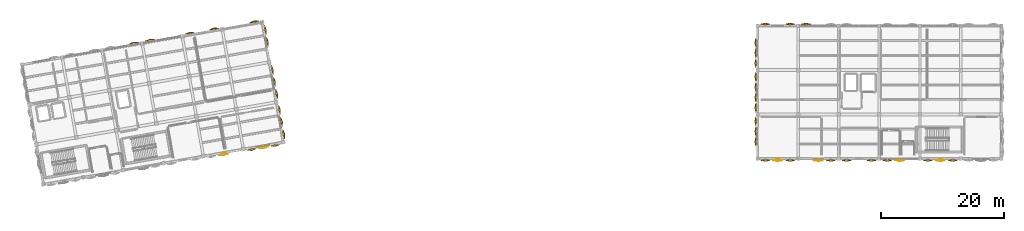
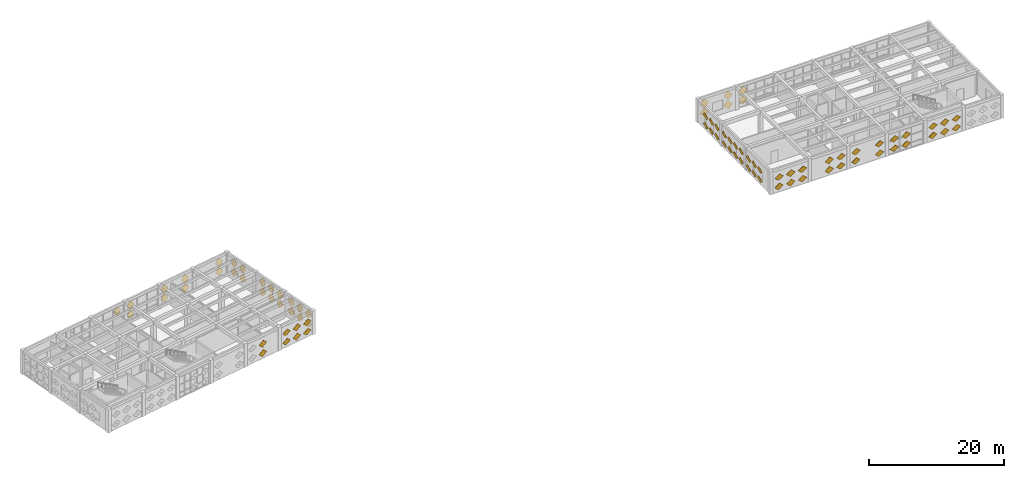
# One storey, part 35 of 36: 83 coverings.
"""IFC4 building model written with IfcOpenShell, lengths in metres."""

from ifc_helpers import new_model, si_unit, direction, frame, origin, place, context, subcontext, project, spatial, polyline, outline, extrude, material, type_object, element, save


model = new_model("IFC4")

# Units and contexts
model_context = context("Model", 3, precision=1e-05, world=origin(), true_north=direction((0.0, 1.0)))
body_context = subcontext(model_context, "Body", "Model", "MODEL_VIEW")
ifc_project = project(units=[si_unit("LENGTHUNIT", "METRE"), si_unit("AREAUNIT", "SQUARE_METRE"), si_unit("VOLUMEUNIT", "CUBIC_METRE"), si_unit("PLANEANGLEUNIT", "RADIAN"), si_unit("MASSUNIT", "GRAM", prefix="KILO")], contexts=[model_context])

# Site, building, storey
site_placement = place(None, origin())
site = spatial("IfcSite", under=ifc_project, at=site_placement, CompositionType="ELEMENT")
building_placement = place(site_placement, origin())
building = spatial("IfcBuilding", under=site, at=building_placement, Name="Kharisveld Research Institute", CompositionType="ELEMENT")
storey_placement = place(building_placement, frame((0.0, 0.0, 27.60009765625)))
storey = spatial("IfcBuildingStorey", under=building, at=storey_placement, Name="L06", CompositionType="ELEMENT", Elevation=27.60009765625)

# Coverings
ifc_material = material(Name="White Powder-Coated Perforated Aluminium", Category="aluminium")
covering_type = type_object("IfcCoveringType", Name="CV_DIA_105", PredefinedType="CLADDING")
covering_1_placement = place(storey_placement, frame((19.966796875, 57.820068359375, 2.025146484375), z_axis=(0.169530643305, -0.961476347302, 0.21638529192), x_axis=(0.669725119033, 0.273471090272, 0.690421485559)))
element("IfcCovering", 1, at=covering_1_placement, inside=storey, type_object=covering_type, material=ifc_material, Name="SHD:V1:L06:N2:S2C1", PredefinedType="CLADDING", context=body_context, shape_type="SweptSolid", body=[
    extrude(outline(polyline([(0.0, 0.0), (1.0498710291992122, 0.0), (1.0499937163043682, 1.0499534820137317), (0.00012268710515594972, 1.049953482013732), (0.0, 0.0)])), origin(), (0.0, 0.0, -1.0), 0.02392578125),
])
for number, where, z_axis, x_axis, name in (
    (2, (22.520751953125, 58.270263671875, 0.324951171875), (0.169497253476, -0.961447488939, 0.216539620108), (0.669704807286, 0.273559805143, 0.690406042925), "SHD:V1:L06:N3:S0C0"),
    (3, (22.520751953125, 58.270263671875, 2.025146484375), (0.169497253476, -0.961447488939, 0.216539620108), (0.669704807286, 0.273559805143, 0.690406042925), "SHD:V1:L06:N3:S0C1"),
):
    element("IfcCovering", number, at=place(storey_placement, frame(where, z_axis=z_axis, x_axis=x_axis)), inside=storey, type_object=covering_type, material=ifc_material, Name=name, PredefinedType="CLADDING", context=body_context, shape_type="SweptSolid", body=[
        extrude(outline(polyline([(0.0, 0.0), (1.0499378117878446, 0.0), (1.0500673216048337, 1.0499534721181558), (3.2794728575202825e-05, 1.0501368269494782), (0.0, 0.0)])), origin(), (0.0, 0.0, -1.0), 0.02392578125),
    ])
for number, where, z_axis, x_axis, name in (
    (4, (29.0205078125, 59.41650390625, 0.324951171875), (0.169503194288, -0.961481187298, 0.216385289699), (0.669728459805, 0.273452141042, 0.690425750307), "SHD:V1:L06:N4:S0C0"),
    (5, (29.0205078125, 59.41650390625, 2.025146484375), (0.169503194288, -0.961481187298, 0.216385289699), (0.669728459805, 0.273452141042, 0.690425750307), "SHD:V1:L06:N4:S0C1"),
    (6, (32.96630859375, 60.1123046875, 0.324951171875), (0.169503194288, -0.961481187298, 0.216385289699), (0.669728459805, 0.273452141042, 0.690425750307), "SHD:V1:L06:N4:S2C0"),
    (7, (32.96630859375, 60.1123046875, 2.025146484375), (0.169503194288, -0.961481187298, 0.216385289699), (0.669728459805, 0.273452141042, 0.690425750307), "SHD:V1:L06:N4:S2C1"),
):
    element("IfcCovering", number, at=place(storey_placement, frame(where, z_axis=z_axis, x_axis=x_axis)), inside=storey, type_object=covering_type, material=ifc_material, Name=name, PredefinedType="CLADDING", context=body_context, shape_type="SweptSolid", body=[
        extrude(outline(polyline([(0.0, 0.0), (1.0498710289953155, -1.1102230246251565e-16), (1.0499937165082887, 1.0499534818098035), (-4.082041178410378e-05, 1.0501299960653954), (0.0, 0.0)])), origin(), (0.0, 0.0, -1.0), 0.02392578125),
    ])
for number, where, z_axis, x_axis, name in (
    (8, (39.4658203125, 61.25830078125, 0.324951171875), (0.169504241221, -0.961487125864, 0.216358080518), (0.669853329409, 0.27342850239, 0.690313965642), "SHD:V1:L06:N5:S2C0"),
    (9, (39.4658203125, 61.25830078125, 2.025146484375), (0.169504241221, -0.961487125864, 0.216358080518), (0.669853329409, 0.27342850239, 0.690313965642), "SHD:V1:L06:N5:S2C1"),
):
    element("IfcCovering", number, at=place(storey_placement, frame(where, z_axis=z_axis, x_axis=x_axis)), inside=storey, type_object=covering_type, material=ifc_material, Name=name, PredefinedType="CLADDING", context=body_context, shape_type="SweptSolid", body=[
        extrude(outline(polyline([(0.0, 0.0), (1.0500345519602505, 0.0), (1.0499807392517624, 1.0499534878027108), (-5.381270848814346e-05, 1.049953487802711), (0.0, 0.0)])), origin(), (0.0, 0.0, -1.0), 0.02392578125),
    ])
for number, where, z_axis, x_axis, name in (
    (10, (41.0830078125, 60.1259765625, 0.324951171875), (-0.961453431325, -0.169498301082, 0.216512413788), (0.273536150679, -0.669829678259, 0.690294267972), "SHD:V1:L06:E3:S0C0"),
    (11, (41.0830078125, 60.1259765625, 2.025146484375), (-0.961453431325, -0.169498301082, 0.216512413788), (0.273536150679, -0.669829678259, 0.690294267972), "SHD:V1:L06:E3:S0C1"),
):
    element("IfcCovering", number, at=place(storey_placement, frame(where, z_axis=z_axis, x_axis=x_axis)), inside=storey, type_object=covering_type, material=ifc_material, Name=name, PredefinedType="CLADDING", context=body_context, shape_type="SweptSolid", body=[
        extrude(outline(polyline([(0.0, 0.0), (1.050101326665668, -1.1102230246251565e-16), (1.050054341798497, 1.049953481570866), (1.9796419616024963e-05, 1.0499603230588543), (0.0, 0.0)])), origin(), (0.0, 0.0, -1.0), 0.02392578125),
    ])
for number, where, z_axis, x_axis, name in (
    (12, (41.430908203125, 58.153076171875, 0.324951171875), (-0.961425979727, -0.169653966706, 0.216512394765), (0.27364360613, -0.669810730042, 0.69027006508), "SHD:V1:L06:E3:S1C0"),
    (13, (41.430908203125, 58.153076171875, 2.025146484375), (-0.961425979727, -0.169653966706, 0.216512394765), (0.27364360613, -0.669810730042, 0.69027006508), "SHD:V1:L06:E3:S1C1"),
):
    element("IfcCovering", number, at=place(storey_placement, frame(where, z_axis=z_axis, x_axis=x_axis)), inside=storey, type_object=covering_type, material=ifc_material, Name=name, PredefinedType="CLADDING", context=body_context, shape_type="SweptSolid", body=[
        extrude(outline(polyline([(0.0, 0.0), (1.0501013332243323, 1.1102230246251565e-16), (1.050054335240126, 1.049953488129867), (-4.699798420648715e-05, 1.049953488129867), (0.0, 0.0)])), origin(), (0.0, 0.0, -1.0), 0.02392578125),
    ])
for number, where, z_axis, x_axis, name in (
    (14, (42.229248046875, 53.626220703125, 0.324951171875), (-0.961481187298, -0.169503194288, 0.216385289699), (0.273447448775, -0.669849989418, 0.690309701826), "SHD:V1:L06:E2:S0C0"),
    (15, (42.229248046875, 53.626220703125, 2.025146484375), (-0.961481187298, -0.169503194288, 0.216385289699), (0.273447448775, -0.669849989418, 0.690309701826), "SHD:V1:L06:E2:S0C1"),
    (16, (42.5771484375, 51.6533203125, 0.324951171875), (-0.961481187298, -0.169503194288, 0.216385289699), (0.273447448775, -0.669849989418, 0.690309701826), "SHD:V1:L06:E2:S1C0"),
    (17, (42.5771484375, 51.6533203125, 2.025146484375), (-0.961481187298, -0.169503194288, 0.216385289699), (0.273447448775, -0.669849989418, 0.690309701826), "SHD:V1:L06:E2:S1C1"),
    (18, (42.925048828125, 49.680419921875, 0.324951171875), (-0.961481187298, -0.169503194288, 0.216385289699), (0.273447448775, -0.669849989418, 0.690309701826), "SHD:V1:L06:E2:S2C0"),
    (19, (42.925048828125, 49.680419921875, 2.025146484375), (-0.961481187298, -0.169503194288, 0.216385289699), (0.273447448775, -0.669849989418, 0.690309701826), "SHD:V1:L06:E2:S2C1"),
):
    element("IfcCovering", number, at=place(storey_placement, frame(where, z_axis=z_axis, x_axis=x_axis)), inside=storey, type_object=covering_type, material=ifc_material, Name=name, PredefinedType="CLADDING", context=body_context, shape_type="SweptSolid", body=[
        extrude(outline(polyline([(0.0, 0.0), (1.0500345517563856, -1.1102230246251565e-16), (1.0498172010450848, 1.0501299743656882), (-5.381311622809637e-05, 1.0499534875988095), (0.0, 0.0)])), origin(), (0.0, 0.0, -1.0), 0.02392578125),
    ])
for number, where, z_axis, x_axis, name in (
    (20, (43.375244140625, 47.12646484375, 0.324951171875), (-0.961447488939, -0.169497253476, 0.216539620108), (0.273554912423, -0.669831050307, 0.690285501755), "SHD:V1:L06:E1:S0C0"),
    (21, (43.375244140625, 47.12646484375, 2.025146484375), (-0.961447488939, -0.169497253476, 0.216539620108), (0.273554912423, -0.669831050307, 0.690285501755), "SHD:V1:L06:E1:S0C1"),
):
    element("IfcCovering", number, at=place(storey_placement, frame(where, z_axis=z_axis, x_axis=x_axis)), inside=storey, type_object=covering_type, material=ifc_material, Name=name, PredefinedType="CLADDING", context=body_context, shape_type="SweptSolid", body=[
        extrude(outline(polyline([(0.0, 0.0), (1.0500345428847768, 1.1102230246251565e-16), (1.0498839649209004, 1.0501368166659475), (-5.383085990073866e-05, 1.0499534787256062), (0.0, 0.0)])), origin(), (0.0, 0.0, -1.0), 0.02392578125),
    ])
for number, where, z_axis, x_axis, name in (
    (22, (43.72314453125, 45.153564453125, 0.324951171875), (-0.961481187298, -0.169503194288, 0.216385289699), (0.273447448775, -0.669849989418, 0.690309701826), "SHD:V1:L06:E1:S1C0"),
    (23, (43.72314453125, 45.153564453125, 2.025146484375), (-0.961481187298, -0.169503194288, 0.216385289699), (0.273447448775, -0.669849989418, 0.690309701826), "SHD:V1:L06:E1:S1C1"),
    (24, (44.071044921875, 43.1806640625, 0.324951171875), (-0.961481187298, -0.169503194288, 0.216385289699), (0.273447448775, -0.669849989418, 0.690309701826), "SHD:V1:L06:E1:S2C0"),
    (25, (44.071044921875, 43.1806640625, 2.025146484375), (-0.961481187298, -0.169503194288, 0.216385289699), (0.273447448775, -0.669849989418, 0.690309701826), "SHD:V1:L06:E1:S2C1"),
):
    element("IfcCovering", number, at=place(storey_placement, frame(where, z_axis=z_axis, x_axis=x_axis)), inside=storey, type_object=covering_type, material=ifc_material, Name=name, PredefinedType="CLADDING", context=body_context, shape_type="SweptSolid", body=[
        extrude(outline(polyline([(0.0, 0.0), (1.0500345517563856, -1.1102230246251565e-16), (1.0498172010450848, 1.0501299743656882), (-5.381311622809637e-05, 1.0499534875988095), (0.0, 0.0)])), origin(), (0.0, 0.0, -1.0), 0.02392578125),
    ])
for number, where, z_axis, x_axis, name in (
    (26, (42.938720703125, 41.5634765625, 0.324951171875), (-0.169504241221, 0.961487125864, 0.216358080518), (-0.669853329409, -0.27342850239, 0.690313965642), "SHD:V1:L06:S6:S0C0"),
    (27, (42.938720703125, 41.5634765625, 2.025146484375), (-0.169504241221, 0.961487125864, 0.216358080518), (-0.669853329409, -0.27342850239, 0.690313965642), "SHD:V1:L06:S6:S0C1"),
):
    element("IfcCovering", number, at=place(storey_placement, frame(where, z_axis=z_axis, x_axis=x_axis)), inside=storey, type_object=covering_type, material=ifc_material, Name=name, PredefinedType="CLADDING", context=body_context, shape_type="SweptSolid", body=[
        extrude(outline(polyline([(0.0, 0.0), (1.0500345519602505, 0.0), (1.0499807392517624, 1.0499534878027108), (-5.381270848814346e-05, 1.049953487802711), (0.0, 0.0)])), origin(), (0.0, 0.0, -1.0), 0.02392578125),
    ])
covering_2_placement = place(storey_placement, frame((40.972412109375, 41.177978515625, 0.317626953125), z_axis=(-0.171238636855, 0.971325222312, 0.164938296792), x_axis=(-0.676191865964, -0.23762399085, 0.697351704219)))
element("IfcCovering", 28, at=covering_2_placement, inside=storey, type_object=covering_type, material=ifc_material, Name="SHD:V1:L06:S6:S1C0", PredefinedType="CLADDING", context=body_context, shape_type="SweptSolid", body=[
    extrude(outline(polyline([(0.0, 0.0), (1.0499451723202433, -1.1102230246251565e-16), (1.0499335917706356, 1.0500851276195962), (-0.00018183243052050102, 1.0499148413347306), (0.0, 0.0)])), origin(), (0.0, 0.0, -1.0), 0.02392578125),
])
covering_3_placement = place(storey_placement, frame((40.972412109375, 41.177978515625, 2.017578125), z_axis=(-0.171238636855, 0.971325222312, 0.164938296792), x_axis=(-0.676075661849, -0.237622709321, 0.697464800165)))
element("IfcCovering", 29, at=covering_3_placement, inside=storey, type_object=covering_type, material=ifc_material, Name="SHD:V1:L06:S6:S1C1", PredefinedType="CLADDING", context=body_context, shape_type="SweptSolid", body=[
    extrude(outline(polyline([(0.0, 0.0), (1.050115438007933, 0.0), (1.0501038593359955, 1.049914857016463), (0.00015870082029023624, 1.050085115691115), (0.0, 0.0)])), origin(), (0.0, 0.0, -1.0), 0.02392578125),
])
for number, where, z_axis, x_axis, name in (
    (30, (38.992919921875, 40.86767578125, 0.324951171875), (-0.169504241221, 0.961487125864, 0.216358080518), (-0.669853329409, -0.27342850239, 0.690313965642), "SHD:V1:L06:S6:S2C0"),
    (31, (38.992919921875, 40.86767578125, 2.025146484375), (-0.169504241221, 0.961487125864, 0.216358080518), (-0.669853329409, -0.27342850239, 0.690313965642), "SHD:V1:L06:S6:S2C1"),
):
    element("IfcCovering", number, at=place(storey_placement, frame(where, z_axis=z_axis, x_axis=x_axis)), inside=storey, type_object=covering_type, material=ifc_material, Name=name, PredefinedType="CLADDING", context=body_context, shape_type="SweptSolid", body=[
        extrude(outline(polyline([(0.0, 0.0), (1.0500345519602505, 0.0), (1.0499807392517624, 1.0499534878027108), (-5.381270848814346e-05, 1.049953487802711), (0.0, 0.0)])), origin(), (0.0, 0.0, -1.0), 0.02392578125),
    ])
covering_4_placement = place(storey_placement, frame((34.47265625, 40.031982421875, 0.317626953125), z_axis=(-0.171234061711, 0.9712992705, 0.165095800177), x_axis=(-0.676172534966, -0.237733660148, 0.69733306948)))
element("IfcCovering", 32, at=covering_4_placement, inside=storey, type_object=covering_type, material=ifc_material, Name="SHD:V1:L06:S5:S1C0", PredefinedType="CLADDING", context=body_context, shape_type="SweptSolid", body=[
    extrude(outline(polyline([(0.0, 0.0), (1.049945167901042, 2.220446049250313e-16), (1.0499916144071415, 1.0500832207180806), (-0.0001818412696886762, 1.0499148369138707), (0.0, 0.0)])), origin(), (0.0, 0.0, -1.0), 0.02392578125),
])
covering_5_placement = place(storey_placement, frame((34.47265625, 40.031982421875, 2.017578125), z_axis=(-0.171234061711, 0.9712992705, 0.165095800177), x_axis=(-0.67605633082, -0.237732396439, 0.697446159385)))
element("IfcCovering", 33, at=covering_5_placement, inside=storey, type_object=covering_type, material=ifc_material, Name="SHD:V1:L06:S5:S1C1", PredefinedType="CLADDING", context=body_context, shape_type="SweptSolid", body=[
    extrude(outline(polyline([(0.0, 0.0), (1.050115429038497, -1.1102230246251565e-16), (1.0501618771158647, 1.0499129452537745), (0.00015868288277420817, 1.050085106724131), (0.0, 0.0)])), origin(), (0.0, 0.0, -1.0), 0.02392578125),
])
for number, where, z_axis, x_axis, name in (
    (34, (121.1005859375, 41.967529296875, 0.324951171875), (0.97631069788, 0.0, 0.216373337556), (-0.153000063457, 0.707102116981, 0.6903604687), "SHD:V2:L06:W0:S1C0"),
    (35, (121.1005859375, 41.967529296875, 2.025146484375), (0.97631069788, 0.0, 0.216373337556), (-0.153000063457, 0.707102116981, 0.6903604687), "SHD:V2:L06:W0:S1C1"),
    (36, (121.1005859375, 43.632568359375, 0.324951171875), (0.97631069788, 0.0, 0.216373337556), (-0.153000063457, 0.707102116981, 0.6903604687), "SHD:V2:L06:W0:S2C0"),
    (37, (121.1005859375, 43.632568359375, 2.025146484375), (0.97631069788, 0.0, 0.216373337556), (-0.153000063457, 0.707102116981, 0.6903604687), "SHD:V2:L06:W0:S2C1"),
):
    element("IfcCovering", number, at=place(storey_placement, frame(where, z_axis=z_axis, x_axis=x_axis)), inside=storey, type_object=covering_type, material=ifc_material, Name=name, PredefinedType="CLADDING", context=body_context, shape_type="SweptSolid", body=[
        extrude(outline(polyline([(0.0, 0.0), (1.0499638210603182, 0.0), (1.0499776725217052, 1.0499638209689517), (1.3851461386993336e-05, 1.0499638209689517), (0.0, 0.0)])), origin(), (0.0, 0.0, -1.0), 0.02392578125),
    ])
for number, where, z_axis, x_axis, name in (
    (38, (121.1005859375, 45.297607421875, 0.324951171875), (0.97631069788, 0.0, 0.216373337556), (-0.153000063457, 0.707102116981, 0.6903604687), "SHD:V2:L06:W0:S3C0"),
    (39, (121.1005859375, 45.297607421875, 2.025146484375), (0.97631069788, 0.0, 0.216373337556), (-0.153000063457, 0.707102116981, 0.6903604687), "SHD:V2:L06:W0:S3C1"),
):
    element("IfcCovering", number, at=place(storey_placement, frame(where, z_axis=z_axis, x_axis=x_axis)), inside=storey, type_object=covering_type, material=ifc_material, Name=name, PredefinedType="CLADDING", context=body_context, shape_type="SweptSolid", body=[
        extrude(outline(polyline([(0.0, 0.0), (1.0499638210603182, 0.0), (1.0499776725217052, 1.0499638209689517), (-0.00015878089139154117, 1.050136455599167), (0.0, 0.0)])), origin(), (0.0, 0.0, -1.0), 0.02392578125),
    ])
for number, where, z_axis, x_axis, name in (
    (40, (121.1005859375, 47.50244140625, 0.324951171875), (0.97631069788, 0.0, 0.216373337556), (-0.153000063457, 0.707102116981, 0.6903604687), "SHD:V2:L06:W1:S0C0"),
    (41, (121.1005859375, 47.50244140625, 2.025146484375), (0.97631069788, 0.0, 0.216373337556), (-0.153000063457, 0.707102116981, 0.6903604687), "SHD:V2:L06:W1:S0C1"),
    (42, (121.1005859375, 49.16748046875, 0.324951171875), (0.97631069788, 0.0, 0.216373337556), (-0.153000063457, 0.707102116981, 0.6903604687), "SHD:V2:L06:W1:S1C0"),
    (43, (121.1005859375, 49.16748046875, 2.025146484375), (0.97631069788, 0.0, 0.216373337556), (-0.153000063457, 0.707102116981, 0.6903604687), "SHD:V2:L06:W1:S1C1"),
    (44, (121.1005859375, 50.83251953125, 0.324951171875), (0.97631069788, 0.0, 0.216373337556), (-0.153000063457, 0.707102116981, 0.6903604687), "SHD:V2:L06:W1:S2C0"),
    (45, (121.1005859375, 50.83251953125, 2.025146484375), (0.97631069788, 0.0, 0.216373337556), (-0.153000063457, 0.707102116981, 0.6903604687), "SHD:V2:L06:W1:S2C1"),
    (46, (121.1005859375, 52.49755859375, 0.324951171875), (0.97631069788, 0.0, 0.216373337556), (-0.153000063457, 0.707102116981, 0.6903604687), "SHD:V2:L06:W1:S3C0"),
    (47, (121.1005859375, 52.49755859375, 2.025146484375), (0.97631069788, 0.0, 0.216373337556), (-0.153000063457, 0.707102116981, 0.6903604687), "SHD:V2:L06:W1:S3C1"),
):
    element("IfcCovering", number, at=place(storey_placement, frame(where, z_axis=z_axis, x_axis=x_axis)), inside=storey, type_object=covering_type, material=ifc_material, Name=name, PredefinedType="CLADDING", context=body_context, shape_type="SweptSolid", body=[
        extrude(outline(polyline([(0.0, 0.0), (1.0499638210603182, 0.0), (1.0499776725217052, 1.0499638209689517), (1.3851461386993336e-05, 1.0499638209689517), (0.0, 0.0)])), origin(), (0.0, 0.0, -1.0), 0.02392578125),
    ])
for number, where, z_axis, x_axis, name in (
    (48, (121.1005859375, 54.702392578125, 0.324951171875), (0.97631069788, 0.0, 0.216373337556), (-0.152974909648, 0.707218351292, 0.690246970738), "SHD:V2:L06:W2:S0C0"),
    (49, (121.1005859375, 54.702392578125, 2.025146484375), (0.97631069788, 0.0, 0.216373337556), (-0.152974909648, 0.707218351292, 0.690246970738), "SHD:V2:L06:W2:S0C1"),
):
    element("IfcCovering", number, at=place(storey_placement, frame(where, z_axis=z_axis, x_axis=x_axis)), inside=storey, type_object=covering_type, material=ifc_material, Name=name, PredefinedType="CLADDING", context=body_context, shape_type="SweptSolid", body=[
        extrude(outline(polyline([(0.0, 0.0), (1.0501364676030216, 1.1102230246251565e-16), (1.0498050520855338, 1.0501364153068435), (-0.00015875478719196146, 1.0499638090584367), (0.0, 0.0)])), origin(), (0.0, 0.0, -1.0), 0.02392578125),
    ])
for number, where, z_axis, x_axis, name in (
    (50, (121.1005859375, 56.367431640625, 0.324951171875), (0.97631069788, 0.0, 0.216373337556), (-0.153000063457, 0.707102116981, 0.6903604687), "SHD:V2:L06:W2:S1C0"),
    (51, (121.1005859375, 56.367431640625, 2.025146484375), (0.97631069788, 0.0, 0.216373337556), (-0.153000063457, 0.707102116981, 0.6903604687), "SHD:V2:L06:W2:S1C1"),
    (52, (121.1005859375, 58.032470703125, 0.324951171875), (0.97631069788, 0.0, 0.216373337556), (-0.153000063457, 0.707102116981, 0.6903604687), "SHD:V2:L06:W2:S2C0"),
    (53, (121.1005859375, 58.032470703125, 2.025146484375), (0.97631069788, 0.0, 0.216373337556), (-0.153000063457, 0.707102116981, 0.6903604687), "SHD:V2:L06:W2:S2C1"),
    (54, (122.47998046875, 60.8994140625, 0.324951171875), (0.0, -0.97631069788, 0.216373337556), (0.707102116981, 0.153000063457, 0.6903604687), "SHD:V2:L06:N1:S0C0"),
    (55, (122.47998046875, 60.8994140625, 2.025146484375), (0.0, -0.97631069788, 0.216373337556), (0.707102116981, 0.153000063457, 0.6903604687), "SHD:V2:L06:N1:S0C1"),
    (56, (126.52001953125, 60.8994140625, 0.324951171875), (0.0, -0.97631069788, 0.216373337556), (0.707102116981, 0.153000063457, 0.6903604687), "SHD:V2:L06:N1:S2C0"),
    (57, (126.52001953125, 60.8994140625, 2.025146484375), (0.0, -0.97631069788, 0.216373337556), (0.707102116981, 0.153000063457, 0.6903604687), "SHD:V2:L06:N1:S2C1"),
    (58, (129.080078125, 60.8994140625, 0.324951171875), (0.0, -0.97631069788, 0.216373337556), (0.707102116981, 0.153000063457, 0.6903604687), "SHD:V2:L06:N2:S0C0"),
    (59, (129.080078125, 60.8994140625, 2.025146484375), (0.0, -0.97631069788, 0.216373337556), (0.707102116981, 0.153000063457, 0.6903604687), "SHD:V2:L06:N2:S0C1"),
    (60, (152.919921875, 39.1005859375, 0.324951171875), (0.0, 0.97631069788, 0.216373337556), (-0.707102116981, -0.153000063457, 0.6903604687), "SHD:V2:L06:S6:S0C0"),
    (61, (152.919921875, 39.1005859375, 2.025146484375), (0.0, 0.97631069788, 0.216373337556), (-0.707102116981, -0.153000063457, 0.6903604687), "SHD:V2:L06:S6:S0C1"),
):
    element("IfcCovering", number, at=place(storey_placement, frame(where, z_axis=z_axis, x_axis=x_axis)), inside=storey, type_object=covering_type, material=ifc_material, Name=name, PredefinedType="CLADDING", context=body_context, shape_type="SweptSolid", body=[
        extrude(outline(polyline([(0.0, 0.0), (1.0499638210603182, 0.0), (1.0499776725217052, 1.0499638209689517), (1.3851461386993336e-05, 1.0499638209689517), (0.0, 0.0)])), origin(), (0.0, 0.0, -1.0), 0.02392578125),
    ])
covering_6_placement = place(storey_placement, frame((150.89990234375, 39.0625, 0.317626953125), z_axis=(0.0, 0.986282612269, 0.165065468031), x_axis=(-0.707138821552, -0.116713622787, 0.697375521014)))
element("IfcCovering", 62, at=covering_6_placement, inside=storey, type_object=covering_type, material=ifc_material, Name="SHD:V2:L06:S6:S1C0", PredefinedType="CLADDING", context=body_context, shape_type="SweptSolid", body=[
    extrude(outline(polyline([(0.0, 0.0), (1.049909321899567, 0.0), (1.0499844306250534, 1.0500795907141018), (-0.0002677902839293145, 1.0500819432568782), (0.0, 0.0)])), origin(), (0.0, 0.0, -1.0), 0.02392578125),
])
covering_7_placement = place(storey_placement, frame((150.89990234375, 39.0625, 2.017578125), z_axis=(0.0, 0.986282612269, 0.165065468031), x_axis=(-0.707024158255, -0.116732548384, 0.697488603341)))
element("IfcCovering", 63, at=covering_7_placement, inside=storey, type_object=covering_type, material=ifc_material, Name="SHD:V2:L06:S6:S1C1", PredefinedType="CLADDING", context=body_context, shape_type="SweptSolid", body=[
    extrude(outline(polyline([(0.0, 0.0), (1.0500795934002414, -1.1102230246251565e-16), (1.0501546899467695, 1.0499093192138629), (7.276853019166918e-05, 1.050252218390671), (0.0, 0.0)])), origin(), (0.0, 0.0, -1.0), 0.02392578125),
])
for number, where, z_axis, x_axis, name in (
    (64, (148.8798828125, 39.1005859375, 0.324951171875), (0.0, 0.97631069788, 0.216373337556), (-0.707102116981, -0.153000063457, 0.6903604687), "SHD:V2:L06:S6:S2C0"),
    (65, (148.8798828125, 39.1005859375, 2.025146484375), (0.0, 0.97631069788, 0.216373337556), (-0.707102116981, -0.153000063457, 0.6903604687), "SHD:V2:L06:S6:S2C1"),
):
    element("IfcCovering", number, at=place(storey_placement, frame(where, z_axis=z_axis, x_axis=x_axis)), inside=storey, type_object=covering_type, material=ifc_material, Name=name, PredefinedType="CLADDING", context=body_context, shape_type="SweptSolid", body=[
        extrude(outline(polyline([(0.0, 0.0), (1.0499638210603182, 0.0), (1.0499776725217052, 1.0499638209689517), (-0.00015878089139154117, 1.050136455599167), (0.0, 0.0)])), origin(), (0.0, 0.0, -1.0), 0.02392578125),
    ])
covering_8_placement = place(storey_placement, frame((144.300048828125, 39.0625, 0.317626953125), z_axis=(0.0, 0.986282612269, 0.165065468031), x_axis=(-0.707138821552, -0.116713622787, 0.697375521014)))
element("IfcCovering", 66, at=covering_8_placement, inside=storey, type_object=covering_type, material=ifc_material, Name="SHD:V2:L06:S5:S1C0", PredefinedType="CLADDING", context=body_context, shape_type="SweptSolid", body=[
    extrude(outline(polyline([(0.0, 0.0), (1.049909321899567, 0.0), (1.0499844306250534, 1.0500795907141018), (-9.51489700736774e-05, 1.049909317588087), (0.0, 0.0)])), origin(), (0.0, 0.0, -1.0), 0.02392578125),
])
covering_9_placement = place(storey_placement, frame((144.300048828125, 39.0625, 2.017578125), z_axis=(0.0, 0.986282612269, 0.165065468031), x_axis=(-0.707024158255, -0.116732548384, 0.697488603341)))
element("IfcCovering", 67, at=covering_9_placement, inside=storey, type_object=covering_type, material=ifc_material, Name="SHD:V2:L06:S5:S1C1", PredefinedType="CLADDING", context=body_context, shape_type="SweptSolid", body=[
    extrude(outline(polyline([(0.0, 0.0), (1.0500795934002414, -1.1102230246251565e-16), (1.0501546899467695, 1.0499093192138629), (0.0002453818500782745, 1.0500795647299133), (0.0, 0.0)])), origin(), (0.0, 0.0, -1.0), 0.02392578125),
])
for number, where, z_axis, x_axis, name in (
    (68, (142.280029296875, 39.1005859375, 0.324951171875), (0.0, 0.97631069788, 0.216373337556), (-0.707102116981, -0.153000063457, 0.6903604687), "SHD:V2:L06:S5:S2C0"),
    (69, (142.280029296875, 39.1005859375, 2.025146484375), (0.0, 0.97631069788, 0.216373337556), (-0.707102116981, -0.153000063457, 0.6903604687), "SHD:V2:L06:S5:S2C1"),
    (70, (139.719970703125, 39.1005859375, 0.324951171875), (0.0, 0.97631069788, 0.216373337556), (-0.707102116981, -0.153000063457, 0.6903604687), "SHD:V2:L06:S4:S0C0"),
    (71, (139.719970703125, 39.1005859375, 2.025146484375), (0.0, 0.97631069788, 0.216373337556), (-0.707102116981, -0.153000063457, 0.6903604687), "SHD:V2:L06:S4:S0C1"),
    (72, (135.679931640625, 39.1005859375, 0.324951171875), (0.0, 0.97631069788, 0.216373337556), (-0.707102116981, -0.153000063457, 0.6903604687), "SHD:V2:L06:S4:S2C0"),
    (73, (135.679931640625, 39.1005859375, 2.025146484375), (0.0, 0.97631069788, 0.216373337556), (-0.707102116981, -0.153000063457, 0.6903604687), "SHD:V2:L06:S4:S2C1"),
):
    element("IfcCovering", number, at=place(storey_placement, frame(where, z_axis=z_axis, x_axis=x_axis)), inside=storey, type_object=covering_type, material=ifc_material, Name=name, PredefinedType="CLADDING", context=body_context, shape_type="SweptSolid", body=[
        extrude(outline(polyline([(0.0, 0.0), (1.0499638210603182, 0.0), (1.0499776725217052, 1.0499638209689517), (1.3851461386993336e-05, 1.0499638209689517), (0.0, 0.0)])), origin(), (0.0, 0.0, -1.0), 0.02392578125),
    ])
for number, where, z_axis, x_axis, name in (
    (74, (133.1201171875, 39.1005859375, 0.324951171875), (0.0, 0.97631069788, 0.216373337556), (-0.707218351292, -0.152974909648, 0.690246970738), "SHD:V2:L06:S3:S0C0"),
    (75, (133.1201171875, 39.1005859375, 2.025146484375), (0.0, 0.97631069788, 0.216373337556), (-0.707218351292, -0.152974909648, 0.690246970738), "SHD:V2:L06:S3:S0C1"),
):
    element("IfcCovering", number, at=place(storey_placement, frame(where, z_axis=z_axis, x_axis=x_axis)), inside=storey, type_object=covering_type, material=ifc_material, Name=name, PredefinedType="CLADDING", context=body_context, shape_type="SweptSolid", body=[
        extrude(outline(polyline([(0.0, 0.0), (1.0501364676030216, 1.1102230246251565e-16), (1.0498050520855338, 1.0501364153068435), (-0.00015875478719196146, 1.0499638090584367), (0.0, 0.0)])), origin(), (0.0, 0.0, -1.0), 0.02392578125),
    ])
covering_10_placement = place(storey_placement, frame((131.10009765625, 39.0625, 0.317626953125), z_axis=(0.0, 0.986282612269, 0.165065468031), x_axis=(-0.707255049827, -0.116694432619, 0.69726085785)))
element("IfcCovering", 76, at=covering_10_placement, inside=storey, type_object=covering_type, material=ifc_material, Name="SHD:V2:L06:S3:S1C0", PredefinedType="CLADDING", context=body_context, shape_type="SweptSolid", body=[
    extrude(outline(polyline([(0.0, 0.0), (1.0500819774026109, 1.1102230246251565e-16), (1.0498117911607456, 1.050252186157772), (-0.00026774625358971793, 1.0499092877594485), (0.0, 0.0)])), origin(), (0.0, 0.0, -1.0), 0.02392578125),
])
covering_11_placement = place(storey_placement, frame((131.10009765625, 39.0625, 2.017578125), z_axis=(0.0, 0.986282612269, 0.165065468031), x_axis=(-0.707140405383, -0.116713361327, 0.697373958764)))
element("IfcCovering", 77, at=covering_11_placement, inside=storey, type_object=covering_type, material=ifc_material, Name="SHD:V2:L06:S3:S1C1", PredefinedType="CLADDING", context=body_context, shape_type="SweptSolid", body=[
    extrude(outline(polyline([(0.0, 0.0), (1.0502522209116176, -1.1102230246251565e-16), (1.049982078466331, 1.0500819426543992), (7.275656939786934e-05, 1.0500795908797094), (0.0, 0.0)])), origin(), (0.0, 0.0, -1.0), 0.02392578125),
])
for number, where, z_axis, x_axis, name in (
    (78, (126.52001953125, 39.1005859375, 0.324951171875), (0.0, 0.97631069788, 0.216373337556), (-0.707102116981, -0.153000063457, 0.6903604687), "SHD:V2:L06:S2:S0C0"),
    (79, (126.52001953125, 39.1005859375, 2.025146484375), (0.0, 0.97631069788, 0.216373337556), (-0.707102116981, -0.153000063457, 0.6903604687), "SHD:V2:L06:S2:S0C1"),
):
    element("IfcCovering", number, at=place(storey_placement, frame(where, z_axis=z_axis, x_axis=x_axis)), inside=storey, type_object=covering_type, material=ifc_material, Name=name, PredefinedType="CLADDING", context=body_context, shape_type="SweptSolid", body=[
        extrude(outline(polyline([(0.0, 0.0), (1.0499638210603182, 0.0), (1.0499776725217052, 1.0499638209689517), (1.3851461386993336e-05, 1.0499638209689517), (0.0, 0.0)])), origin(), (0.0, 0.0, -1.0), 0.02392578125),
    ])
covering_12_placement = place(storey_placement, frame((124.5, 39.0625, 0.317626953125), z_axis=(0.0, 0.986282612269, 0.165065468031), x_axis=(-0.707138821552, -0.116713622787, 0.697375521014)))
element("IfcCovering", 80, at=covering_12_placement, inside=storey, type_object=covering_type, material=ifc_material, Name="SHD:V2:L06:S2:S1C0", PredefinedType="CLADDING", context=body_context, shape_type="SweptSolid", body=[
    extrude(outline(polyline([(0.0, 0.0), (1.049909321899567, 0.0), (1.0499844306250534, 1.0500795907141018), (-9.51489700736774e-05, 1.049909317588087), (0.0, 0.0)])), origin(), (0.0, 0.0, -1.0), 0.02392578125),
])
covering_13_placement = place(storey_placement, frame((124.5, 39.0625, 2.017578125), z_axis=(0.0, 0.986282612269, 0.165065468031), x_axis=(-0.707024158255, -0.116732548384, 0.697488603341)))
element("IfcCovering", 81, at=covering_13_placement, inside=storey, type_object=covering_type, material=ifc_material, Name="SHD:V2:L06:S2:S1C1", PredefinedType="CLADDING", context=body_context, shape_type="SweptSolid", body=[
    extrude(outline(polyline([(0.0, 0.0), (1.0500795934002414, -1.1102230246251565e-16), (1.0501546899467695, 1.0499093192138629), (0.0002453818500782745, 1.0500795647299133), (0.0, 0.0)])), origin(), (0.0, 0.0, -1.0), 0.02392578125),
])
for number, where, z_axis, x_axis, name in (
    (82, (122.47998046875, 39.1005859375, 0.324951171875), (0.0, 0.97631069788, 0.216373337556), (-0.707102116981, -0.153000063457, 0.6903604687), "SHD:V2:L06:S2:S2C0"),
    (83, (122.47998046875, 39.1005859375, 2.025146484375), (0.0, 0.97631069788, 0.216373337556), (-0.707102116981, -0.153000063457, 0.6903604687), "SHD:V2:L06:S2:S2C1"),
):
    element("IfcCovering", number, at=place(storey_placement, frame(where, z_axis=z_axis, x_axis=x_axis)), inside=storey, type_object=covering_type, material=ifc_material, Name=name, PredefinedType="CLADDING", context=body_context, shape_type="SweptSolid", body=[
        extrude(outline(polyline([(0.0, 0.0), (1.0499638210603182, 0.0), (1.0499776725217052, 1.0499638209689517), (1.3851461386993336e-05, 1.0499638209689517), (0.0, 0.0)])), origin(), (0.0, 0.0, -1.0), 0.02392578125),
    ])

save(model, "model.ifc")
